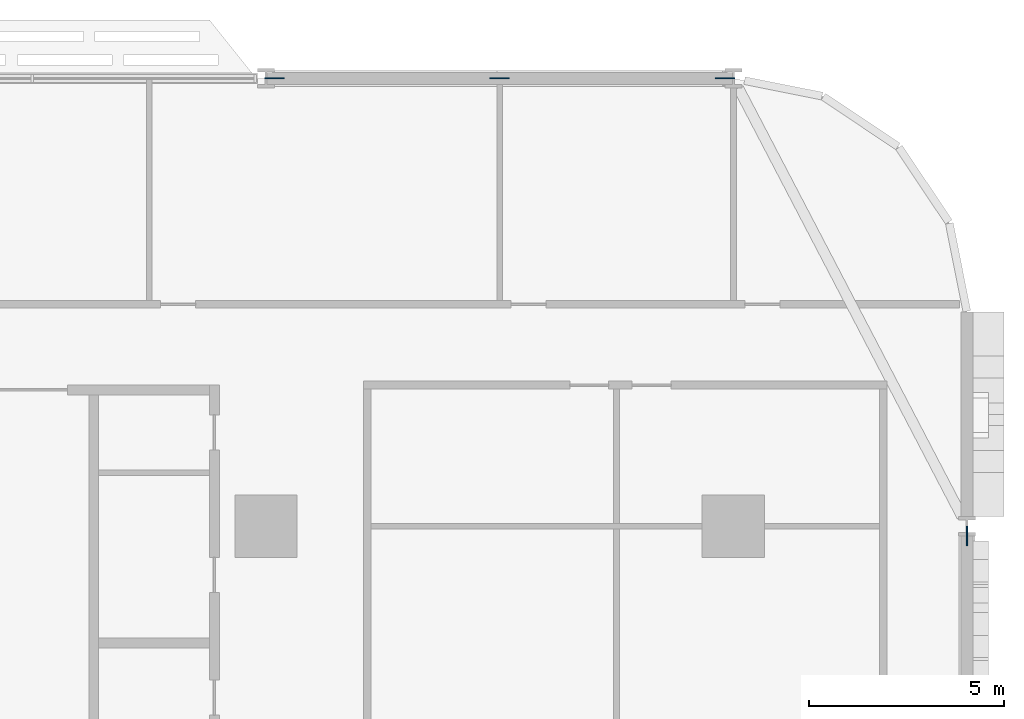
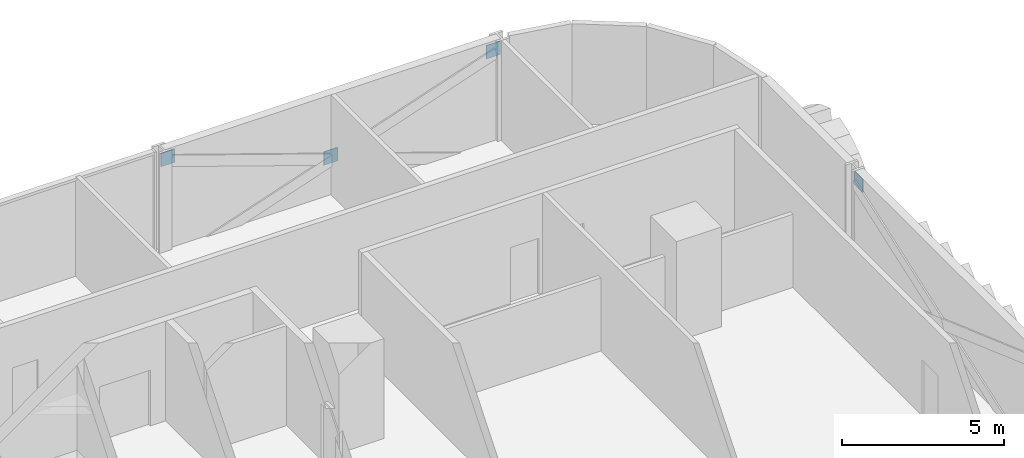
# One storey, part 21 of 29: 4 discrete accessories.
"""IFC4 building model written with IfcOpenShell, lengths in metres."""

from ifc_helpers import new_model, si_unit, direction, frame, origin, origin_2d, place, context, subcontext, project, spatial, rectangle, extrude, material, layer, layer_set, type_object, element, save


model = new_model("IFC4")

# Units and contexts
model_context = context("Model", 3, precision=1e-05, world=origin(), true_north=direction((0.0, 1.0)))
body_context = subcontext(model_context, "Body", "Model", "MODEL_VIEW")
ifc_project = project(units=[si_unit("LENGTHUNIT", "METRE"), si_unit("AREAUNIT", "SQUARE_METRE"), si_unit("VOLUMEUNIT", "CUBIC_METRE"), si_unit("PLANEANGLEUNIT", "RADIAN"), si_unit("MASSUNIT", "GRAM", prefix="KILO")], contexts=[model_context])

# Site, building, storey
site_placement = place(None, origin())
site = spatial("IfcSite", under=ifc_project, at=site_placement, CompositionType="ELEMENT")
building_placement = place(site_placement, origin())
building = spatial("IfcBuilding", under=site, at=building_placement, Name="Mahtab Terrace Research Tower", CompositionType="ELEMENT")
storey_placement = place(building_placement, frame((0.0, 0.0, 37.300048828125)))
storey = spatial("IfcBuildingStorey", under=building, at=storey_placement, Name="L08", CompositionType="ELEMENT", Elevation=37.300048828125)

# Discrete accessories
ifc_material = material(Name="Steel ASTM A992 Gr 50", Category="steel")
ifc_layer = layer(ifc_material, 0.030029296875)
ifc_layer_set = layer_set([ifc_layer], Name="Gusset plate 500x500x30")
discrete_accessory_type = type_object("IfcDiscreteAccessoryType", Name="Gusset plate 500x500x30", PredefinedType="USERDEFINED", material=ifc_layer_set)
for number, where, z_axis, x_axis, name in (
    (1, (30.2158203125, 23.0, 3.0478515625), (0.0, 0.0, 1.0), (1.0, 0.0, 0.0), "Gusset plate"),
    (2, (36.0, 23.0, 1.076416015625), (0.0, 0.0, 1.0), (1.0, 0.0, 0.0), "Gusset plate"),
    (3, (41.7841796875, 23.0, 3.0478515625), (0.0, 0.0, 1.0), (1.0, 0.0, 0.0), "Gusset plate"),
    (4, (48.0, 11.251220703125, 3.032958984375), (0.0, 0.0, 1.0), (0.0, 1.0, 0.0), "Gusset plate"),
):
    element("IfcDiscreteAccessory", number, at=place(storey_placement, frame(where, z_axis=z_axis, x_axis=x_axis)), inside=storey, type_object=discrete_accessory_type, Name=name, ObjectType="GUSSET PLATE", PredefinedType="USERDEFINED", context=body_context, shape_type="SweptSolid", body=[
        extrude(rectangle(XDim=0.5, YDim=0.030029296875, at=origin_2d()), origin(), (0.0, 0.0, 1.0), 0.5),
    ])

save(model, "model.ifc")
